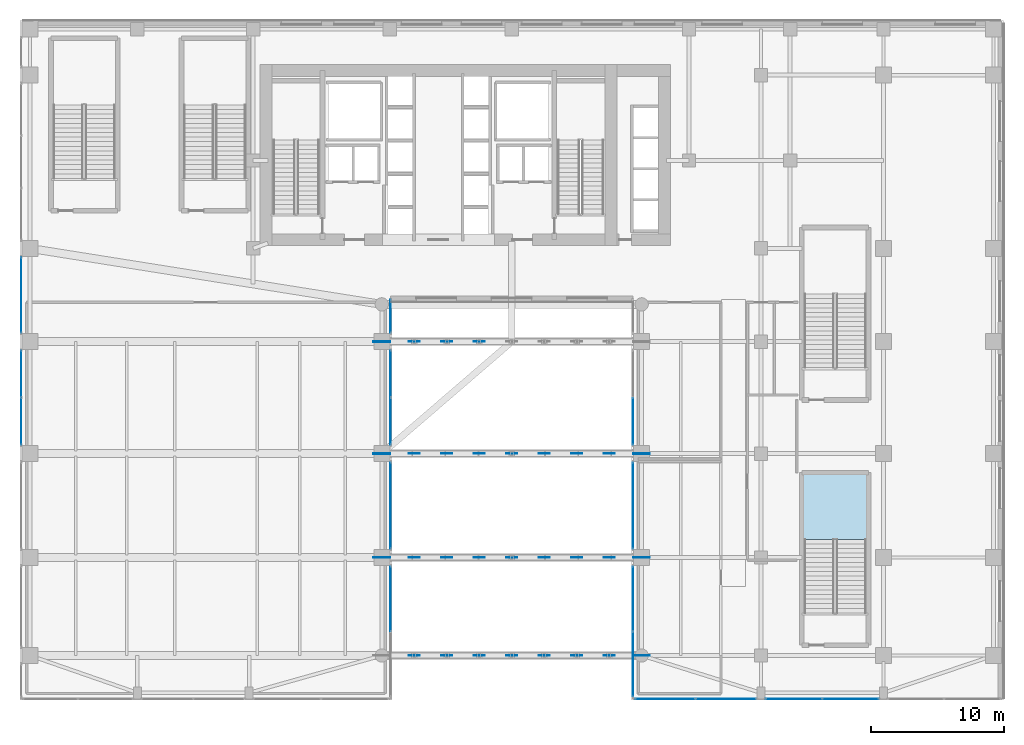
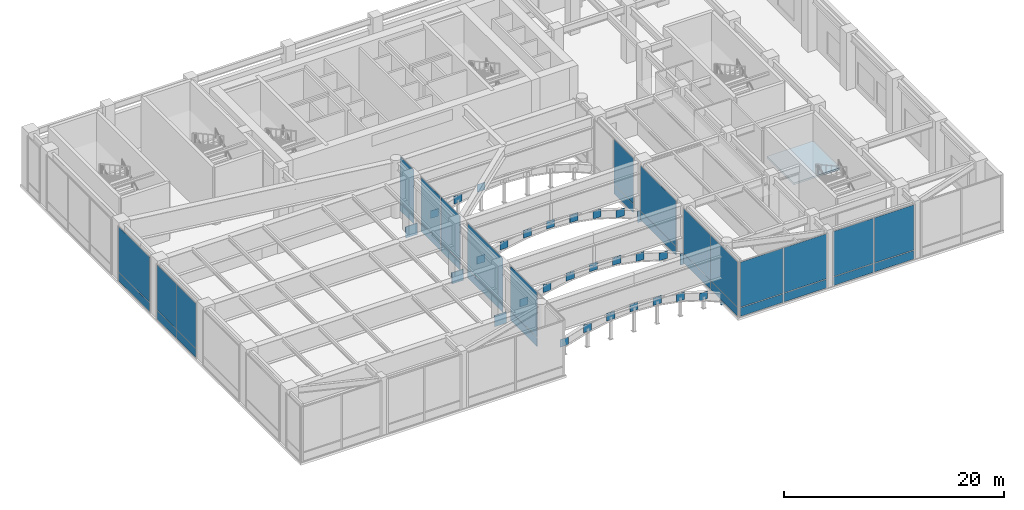
# One storey, part 36 of 50: 62 plates, 1 slab, 12 elements without a shape of their own.
"""IFC4 building model written with IfcOpenShell, lengths in metres."""

from ifc_helpers import new_model, si_unit, direction, frame, origin, origin_2d, place, context, subcontext, project, spatial, polyline, rectangle, outline, extrude, source, transform, mapped, material, layer, layer_set, type_object, type_shapes, element, aggregate, save


model = new_model("IFC4")

# Units and contexts
model_context = context("Model", 3, precision=1e-05, world=origin(), true_north=direction((0.0, 1.0)))
body_context = subcontext(model_context, "Body", "Model", "MODEL_VIEW")
ifc_project = project(units=[si_unit("LENGTHUNIT", "METRE"), si_unit("AREAUNIT", "SQUARE_METRE"), si_unit("VOLUMEUNIT", "CUBIC_METRE"), si_unit("PLANEANGLEUNIT", "RADIAN"), si_unit("MASSUNIT", "GRAM", prefix="KILO")], contexts=[model_context])

# Site, building, storey
site_placement = place(None, origin())
site = spatial("IfcSite", under=ifc_project, at=site_placement, CompositionType="ELEMENT")
building_placement = place(site_placement, origin())
building = spatial("IfcBuilding", under=site, at=building_placement, Name="Tolvann Quenvar Hotel", CompositionType="ELEMENT")
storey_placement = place(building_placement, frame((0.0, 0.0, 16.0)))
storey = spatial("IfcBuildingStorey", under=building, at=storey_placement, Name="L03", CompositionType="ELEMENT", Elevation=16.0)

# Stair, slab
ifc_material_1 = material(Name="Concrete N40 (40 MPa)", Category="concrete")
stair_type = type_object("IfcStairType", Name="STAIR", PredefinedType="HALF_TURN_STAIR", material=ifc_material_1)
stair_placement = place(storey_placement, origin())
stair = element("IfcStair", 1, at=stair_placement, inside=storey, type_object=stair_type, Name="L03 ST-P3", PredefinedType="HALF_TURN_STAIR")
ifc_layer_1 = layer(ifc_material_1, 0.199951171875)
ifc_layer_set_1 = layer_set([ifc_layer_1], Name="Concrete N40 (40 MPa)")
slab_type = type_object("IfcSlabType", Name="SLAB_LANDING", PredefinedType="LANDING", material=ifc_layer_set_1)
slab_placement = place(storey_placement, frame((0.0, 0.0, 3.0)))
slab = element("IfcSlab", 2, at=slab_placement, type_object=slab_type, Name="ST-P3 landing 1", PredefinedType="LANDING", context=body_context, shape_type="SweptSolid", body=[
    extrude(outline(polyline([(55.22998046875, 9.570068359375), (55.22998046875, 14.47998046875), (50.320068359375, 14.47998046875), (50.320068359375, 9.570068359375), (55.22998046875, 9.570068359375)])), origin(), (0.0, 0.0, 1.0), 0.199951171875),
])
aggregate(stair, [slab])

# Plates
ifc_material_2 = material(Name="Steel Grade 350", Category="steel")
ifc_layer_2 = layer(ifc_material_2, 0.06005859375)
ifc_layer_set_2 = layer_set([ifc_layer_2], Name="Steel Grade 350")
plate_type_1 = type_object("IfcPlateType", Name="PLT_SPRINGER_60", PredefinedType="USERDEFINED", material=ifc_layer_set_2)
shared_shape_1 = source(origin(), body_context, "Body", "SweptSolid", [
    extrude(rectangle(XDim=1.25, YDim=0.06005859375, at=origin_2d()), origin(), (0.0, 0.0, 1.0), 1.25),
])
type_shapes(plate_type_1, [shared_shape_1])
for number, where, z_axis, x_axis, name in (
    (3, (38.25, 0.85009765625, -0.625), (0.0, 0.0, 1.0), (1.0, 0.0, 0.0), "Arch Rib East Springer Gusset Plate GP-3 (F1-END)"),
    (4, (18.75, 8.199951171875, -0.625), (0.0, 0.0, 1.0), (1.0, 0.0, 0.0), "Arch Rib Node Gusset Plate (F2-1)"),
    (5, (38.25, 8.199951171875, -0.625), (0.0, 0.0, 1.0), (1.0, 0.0, 0.0), "Arch Rib East Springer Gusset Plate GP-3 (F2-END)"),
    (6, (18.75, 16.0, -0.625), (0.0, 0.0, 1.0), (1.0, 0.0, 0.0), "Arch Rib Node Gusset Plate (F3-1)"),
    (7, (38.25, 16.0, -0.625), (0.0, 0.0, 1.0), (1.0, 0.0, 0.0), "Arch Rib East Springer Gusset Plate GP-3 (F3-END)"),
    (8, (18.75, 24.39990234375, -0.625), (0.0, 0.0, 1.0), (1.0, 0.0, 0.0), "Arch Rib Node Gusset Plate (F4-1)"),
):
    element("IfcPlate", number, at=place(storey_placement, frame(where, z_axis=z_axis, x_axis=x_axis)), inside=storey, type_object=plate_type_1, Name=name, ObjectType="GUSSET PLATE", PredefinedType="USERDEFINED", context=body_context, shape_type="MappedRepresentation", body=[
        mapped(shared_shape_1, transform((0.0, 0.0, 0.0), x_axis=(1.0, 0.0, 0.0), y_axis=(0.0, 1.0, 0.0), z_axis=(0.0, 0.0, 1.0), scale=1.0)),
    ])
ifc_layer_3 = layer(ifc_material_2, 0.031982421875)
ifc_layer_set_3 = layer_set([ifc_layer_3], Name="Steel Grade 350")
plate_type_2 = type_object("IfcPlateType", Name="PLT_GUSSET_32", PredefinedType="USERDEFINED", material=ifc_layer_set_3)
shared_shape_2 = source(origin(), body_context, "Body", "SweptSolid", [
    extrude(rectangle(XDim=0.85009765625, YDim=0.031982421875, at=origin_2d()), origin(), (0.0, 0.0, 1.0), 0.85009765625),
])
type_shapes(plate_type_2, [shared_shape_2])
for number, where, z_axis, x_axis, name in (
    (9, (21.1875, 0.85009765625, 0.625), (0.0, 0.0, 1.0), (1.0, 0.0, 0.0), "Arch Rib Node Gusset Plate (F1-2)"),
    (10, (23.625, 0.85009765625, 1.375), (0.0, 0.0, 1.0), (1.0, 0.0, 0.0), "Arch Rib Node Gusset Plate (F1-3)"),
    (11, (26.0625, 0.85009765625, 1.824951171875), (0.0, 0.0, 1.0), (1.0, 0.0, 0.0), "Arch Rib Node Gusset Plate (F1-4)"),
    (12, (28.5, 0.85009765625, 1.974853515625), (0.0, 0.0, 1.0), (1.0, 0.0, 0.0), "Arch Rib Node Gusset Plate (F1-5)"),
    (13, (30.9375, 0.85009765625, 1.824951171875), (0.0, 0.0, 1.0), (1.0, 0.0, 0.0), "Arch Rib Node Gusset Plate (F1-6)"),
    (14, (33.375, 0.85009765625, 1.375), (0.0, 0.0, 1.0), (1.0, 0.0, 0.0), "Arch Rib Node Gusset Plate (F1-7)"),
    (15, (35.8125, 0.85009765625, 0.625), (0.0, 0.0, 1.0), (1.0, 0.0, 0.0), "Arch Rib Node Gusset Plate (F1-8)"),
    (16, (21.1875, 8.199951171875, 0.625), (0.0, 0.0, 1.0), (1.0, 0.0, 0.0), "Arch Rib Node Gusset Plate (F2-2)"),
    (17, (23.625, 8.199951171875, 1.375), (0.0, 0.0, 1.0), (1.0, 0.0, 0.0), "Arch Rib Node Gusset Plate (F2-3)"),
    (18, (26.0625, 8.199951171875, 1.824951171875), (0.0, 0.0, 1.0), (1.0, 0.0, 0.0), "Arch Rib Node Gusset Plate (F2-4)"),
    (19, (28.5, 8.199951171875, 1.974853515625), (0.0, 0.0, 1.0), (1.0, 0.0, 0.0), "Arch Rib Node Gusset Plate (F2-5)"),
    (20, (30.9375, 8.199951171875, 1.824951171875), (0.0, 0.0, 1.0), (1.0, 0.0, 0.0), "Arch Rib Node Gusset Plate (F2-6)"),
    (21, (33.375, 8.199951171875, 1.375), (0.0, 0.0, 1.0), (1.0, 0.0, 0.0), "Arch Rib Node Gusset Plate (F2-7)"),
    (22, (35.8125, 8.199951171875, 0.625), (0.0, 0.0, 1.0), (1.0, 0.0, 0.0), "Arch Rib Node Gusset Plate (F2-8)"),
    (23, (21.1875, 16.0, 0.625), (0.0, 0.0, 1.0), (1.0, 0.0, 0.0), "Arch Rib Node Gusset Plate (F3-2)"),
    (24, (23.625, 16.0, 1.375), (0.0, 0.0, 1.0), (1.0, 0.0, 0.0), "Arch Rib Node Gusset Plate (F3-3)"),
    (25, (26.0625, 16.0, 1.824951171875), (0.0, 0.0, 1.0), (1.0, 0.0, 0.0), "Arch Rib Node Gusset Plate (F3-4)"),
    (26, (28.5, 16.0, 1.974853515625), (0.0, 0.0, 1.0), (1.0, 0.0, 0.0), "Arch Rib Node Gusset Plate (F3-5)"),
    (27, (30.9375, 16.0, 1.824951171875), (0.0, 0.0, 1.0), (1.0, 0.0, 0.0), "Arch Rib Node Gusset Plate (F3-6)"),
    (28, (33.375, 16.0, 1.375), (0.0, 0.0, 1.0), (1.0, 0.0, 0.0), "Arch Rib Node Gusset Plate (F3-7)"),
    (29, (35.8125, 16.0, 0.625), (0.0, 0.0, 1.0), (1.0, 0.0, 0.0), "Arch Rib Node Gusset Plate (F3-8)"),
    (30, (21.1875, 24.39990234375, 0.625), (0.0, 0.0, 1.0), (1.0, 0.0, 0.0), "Arch Rib Node Gusset Plate (F4-2)"),
    (31, (23.625, 24.39990234375, 1.375), (0.0, 0.0, 1.0), (1.0, 0.0, 0.0), "Arch Rib Node Gusset Plate (F4-3)"),
    (32, (26.0625, 24.39990234375, 1.824951171875), (0.0, 0.0, 1.0), (1.0, 0.0, 0.0), "Arch Rib Node Gusset Plate (F4-4)"),
):
    element("IfcPlate", number, at=place(storey_placement, frame(where, z_axis=z_axis, x_axis=x_axis)), inside=storey, type_object=plate_type_2, Name=name, ObjectType="GUSSET PLATE", PredefinedType="USERDEFINED", context=body_context, shape_type="MappedRepresentation", body=[
        mapped(shared_shape_2, transform((0.0, 0.0, 0.0), x_axis=(1.0, 0.0, 0.0), y_axis=(0.0, 1.0, 0.0), z_axis=(0.0, 0.0, 1.0), scale=1.0)),
    ])

# Curtain wall, plates
ifc_material_3 = material(Name="Thermally broken anodised architectural aluminium 6063-T6 and laminated low-E glass", Category="aluminium")
ifc_layer_4 = layer(ifc_material_3, 0.179931640625)
ifc_layer_set_4 = layer_set([ifc_layer_4], Name="Thermally broken anodised architectural aluminium 6063-T6 and laminated low-E glass")
curtain_wall_type_1 = type_object("IfcCurtainWallType", Name="CW_SYS_BALL_02", PredefinedType="USERDEFINED", material=ifc_layer_set_4)
curtain_wall_1_placement = place(storey_placement, origin())
curtain_wall_1 = element("IfcCurtainWall", 33, at=curtain_wall_1_placement, inside=storey, type_object=curtain_wall_type_1, Name="Curtain Wall CW-BALL-02 (CWR-L03-E04-S1)", ObjectType="UNITISED CURTAIN WALL", PredefinedType="USERDEFINED")
ifc_material_4 = material(Name="Low-iron laminated double glazing with solar-control coating", Category="glass")
ifc_layer_5 = layer(ifc_material_4, 0.028076171875)
ifc_layer_set_5 = layer_set([ifc_layer_5], Name="Low-iron laminated double glazing with solar-control coating")
plate_type_3 = type_object("IfcPlateType", Name="CW_PAN_VISION_28", PredefinedType="CURTAIN_PANEL", material=ifc_layer_set_5)
shared_shape_3 = source(origin(), body_context, "Body", "SweptSolid", [
    extrude(rectangle(XDim=4.488037109375, YDim=0.028076171875, at=origin_2d()), origin(), (0.0, 0.0, 1.0), 0.9599609375),
])
plate_1_placement = place(storey_placement, frame((40.02392578125, -2.409912109375, 0.06005859375), z_axis=(0.0, 0.0, 1.0), x_axis=(1.0, 0.0, 0.0)))
plate_1 = element("IfcPlate", 34, at=plate_1_placement, type_object=plate_type_3, Name="CW-BALL-02 panel 1.1", PredefinedType="CURTAIN_PANEL", context=body_context, shape_type="MappedRepresentation", body=[
    mapped(shared_shape_3, transform((0.0, 0.0, 0.0), x_axis=(1.0, 0.0, 0.0), y_axis=(0.0, 1.0, 0.0), z_axis=(0.0, 0.0, 1.0), scale=1.0)),
])
plate_2_placement = place(storey_placement, frame((44.58203125, -2.409912109375, 0.06005859375), z_axis=(0.0, 0.0, 1.0), x_axis=(1.0, 0.0, 0.0)))
plate_2 = element("IfcPlate", 35, at=plate_2_placement, type_object=plate_type_3, Name="CW-BALL-02 panel 2.1", PredefinedType="CURTAIN_PANEL", context=body_context, shape_type="MappedRepresentation", body=[
    mapped(shared_shape_3, transform((0.0, 0.0, 0.0), x_axis=(1.0, 0.0, 0.0), y_axis=(0.0, 1.0, 0.0), z_axis=(0.0, 0.0, 1.0), scale=1.0)),
])

curtain_wall_2_placement = place(storey_placement, origin())
curtain_wall_2 = element("IfcCurtainWall", 36, at=curtain_wall_2_placement, inside=storey, type_object=curtain_wall_type_1, Name="Curtain Wall CW-BALL-02 (CWR-L03-E04-S2)", ObjectType="UNITISED CURTAIN WALL", PredefinedType="USERDEFINED")
shared_shape_4 = source(origin(), body_context, "Body", "SweptSolid", [
    extrude(rectangle(XDim=4.19091796875, YDim=0.028076171875, at=origin_2d()), origin(), (0.0, 0.0, 1.0), 0.9599609375),
])
plate_3_placement = place(storey_placement, frame((49.66943359375, -2.409912109375, 0.06005859375), z_axis=(0.0, 0.0, 1.0), x_axis=(1.0, 0.0, 0.0)))
plate_3 = element("IfcPlate", 37, at=plate_3_placement, type_object=plate_type_3, Name="CW-BALL-02 panel 1.1", PredefinedType="CURTAIN_PANEL", context=body_context, shape_type="MappedRepresentation", body=[
    mapped(shared_shape_4, transform((0.0, 0.0, 0.0), x_axis=(1.0, 0.0, 0.0), y_axis=(0.0, 1.0, 0.0), z_axis=(0.0, 0.0, 1.0), scale=1.0)),
])
plate_4_placement = place(storey_placement, frame((53.930419921875, -2.409912109375, 0.06005859375), z_axis=(0.0, 0.0, 1.0), x_axis=(1.0, 0.0, 0.0)))
plate_4 = element("IfcPlate", 38, at=plate_4_placement, type_object=plate_type_3, Name="CW-BALL-02 panel 2.1", PredefinedType="CURTAIN_PANEL", context=body_context, shape_type="MappedRepresentation", body=[
    mapped(shared_shape_4, transform((0.0, 0.0, 0.0), x_axis=(1.0, 0.0, 0.0), y_axis=(0.0, 1.0, 0.0), z_axis=(0.0, 0.0, 1.0), scale=1.0)),
])

# Curtain wall, plate
ifc_layer_6 = layer(ifc_material_3, 0.179931640625)
ifc_layer_set_6 = layer_set([ifc_layer_6], Name="Thermally broken anodised architectural aluminium 6063-T6 and laminated low-E glass")
curtain_wall_type_2 = type_object("IfcCurtainWallType", Name="CW_SYS_ARCH_01", PredefinedType="USERDEFINED", material=ifc_layer_set_6)
curtain_wall_3_placement = place(storey_placement, origin())
curtain_wall_3 = element("IfcCurtainWall", 39, at=curtain_wall_3_placement, inside=storey, type_object=curtain_wall_type_2, Name="Curtain Wall CW-ARCH-01 (CWR-L03-E01-S1)", ObjectType="UNITISED CURTAIN WALL", PredefinedType="USERDEFINED")
shared_shape_5 = source(origin(), body_context, "Body", "SweptSolid", [
    extrude(rectangle(XDim=4.837890625, YDim=0.028076171875, at=origin_2d()), origin(), (0.0, 0.0, 1.0), 0.9599609375),
])
plate_5_placement = place(storey_placement, frame((19.409912109375, 5.10693359375, 0.06005859375), z_axis=(0.0, 0.0, 1.0), x_axis=(0.0, 1.0, 0.0)))
plate_5 = element("IfcPlate", 40, at=plate_5_placement, type_object=plate_type_3, Name="CW-ARCH-01 panel 2.1", PredefinedType="CURTAIN_PANEL", context=body_context, shape_type="MappedRepresentation", body=[
    mapped(shared_shape_5, transform((0.0, 0.0, 0.0), x_axis=(1.0, 0.0, 0.0), y_axis=(0.0, 1.0, 0.0), z_axis=(0.0, 0.0, 1.0), scale=1.0)),
])

# Curtain wall, plates
curtain_wall_4_placement = place(storey_placement, origin())
curtain_wall_4 = element("IfcCurtainWall", 41, at=curtain_wall_4_placement, inside=storey, type_object=curtain_wall_type_2, Name="Curtain Wall CW-ARCH-01 (CWR-L03-E03-S4)", ObjectType="UNITISED CURTAIN WALL", PredefinedType="USERDEFINED")
plate_6_placement = place(storey_placement, frame((37.590087890625, 5.10693359375, 0.06005859375), z_axis=(0.0, 0.0, 1.0), x_axis=(0.0, -1.0, 0.0)))
plate_6 = element("IfcPlate", 42, at=plate_6_placement, type_object=plate_type_3, Name="CW-ARCH-01 panel 1.1", PredefinedType="CURTAIN_PANEL", context=body_context, shape_type="MappedRepresentation", body=[
    mapped(shared_shape_5, transform((0.0, 0.0, 0.0), x_axis=(1.0, 0.0, 0.0), y_axis=(0.0, 1.0, 0.0), z_axis=(0.0, 0.0, 1.0), scale=1.0)),
])
plate_7_placement = place(storey_placement, frame((37.590087890625, 0.198974609375, 0.06005859375), z_axis=(0.0, 0.0, 1.0), x_axis=(0.0, -1.0, 0.0)))
plate_7 = element("IfcPlate", 43, at=plate_7_placement, type_object=plate_type_3, Name="CW-ARCH-01 panel 2.1", PredefinedType="CURTAIN_PANEL", context=body_context, shape_type="MappedRepresentation", body=[
    mapped(shared_shape_5, transform((0.0, 0.0, 0.0), x_axis=(1.0, 0.0, 0.0), y_axis=(0.0, 1.0, 0.0), z_axis=(0.0, 0.0, 1.0), scale=1.0)),
])

# Plate
shared_shape_6 = source(origin(), body_context, "Body", "SweptSolid", [
    extrude(rectangle(XDim=4.837890625, YDim=0.028076171875, at=origin_2d()), origin(), (0.0, 0.0, 1.0), 5.0),
])
plate_8_placement = place(storey_placement, frame((19.409912109375, 5.10693359375, 1.080078125), z_axis=(0.0, 0.0, 1.0), x_axis=(0.0, 1.0, 0.0)))
plate_8 = element("IfcPlate", 44, at=plate_8_placement, type_object=plate_type_3, Name="CW-ARCH-01 panel 2.2", PredefinedType="CURTAIN_PANEL", context=body_context, shape_type="MappedRepresentation", body=[
    mapped(shared_shape_6, transform((0.0, 0.0, 0.0), x_axis=(1.0, 0.0, 0.0), y_axis=(0.0, 1.0, 0.0), z_axis=(0.0, 0.0, 1.0), scale=1.0)),
])

aggregate(curtain_wall_3, [plate_5, plate_8])

plate_9_placement = place(storey_placement, frame((37.590087890625, 5.10693359375, 1.080078125), z_axis=(0.0, 0.0, 1.0), x_axis=(0.0, -1.0, 0.0)))
plate_9 = element("IfcPlate", 45, at=plate_9_placement, type_object=plate_type_3, Name="CW-ARCH-01 panel 1.2", PredefinedType="CURTAIN_PANEL", context=body_context, shape_type="MappedRepresentation", body=[
    mapped(shared_shape_6, transform((0.0, 0.0, 0.0), x_axis=(1.0, 0.0, 0.0), y_axis=(0.0, 1.0, 0.0), z_axis=(0.0, 0.0, 1.0), scale=1.0)),
])

plate_10_placement = place(storey_placement, frame((37.590087890625, 0.198974609375, 1.080078125), z_axis=(0.0, 0.0, 1.0), x_axis=(0.0, -1.0, 0.0)))
plate_10 = element("IfcPlate", 46, at=plate_10_placement, type_object=plate_type_3, Name="CW-ARCH-01 panel 2.2", PredefinedType="CURTAIN_PANEL", context=body_context, shape_type="MappedRepresentation", body=[
    mapped(shared_shape_6, transform((0.0, 0.0, 0.0), x_axis=(1.0, 0.0, 0.0), y_axis=(0.0, 1.0, 0.0), z_axis=(0.0, 0.0, 1.0), scale=1.0)),
])

aggregate(curtain_wall_4, [plate_6, plate_9, plate_7, plate_10])

# Curtain wall, plate
curtain_wall_5_placement = place(storey_placement, origin())
curtain_wall_5 = element("IfcCurtainWall", 47, at=curtain_wall_5_placement, inside=storey, type_object=curtain_wall_type_2, Name="Curtain Wall CW-ARCH-01 (CWR-L03-E01-S2)", ObjectType="UNITISED CURTAIN WALL", PredefinedType="USERDEFINED")
shared_shape_7 = source(origin(), body_context, "Body", "SweptSolid", [
    extrude(rectangle(XDim=6.451904296875, YDim=0.028076171875, at=origin_2d()), origin(), (0.0, 0.0, 1.0), 0.9599609375),
])
plate_11_placement = place(storey_placement, frame((19.409912109375, 12.10009765625, 0.06005859375), z_axis=(0.0, 0.0, 1.0), x_axis=(0.0, 1.0, 0.0)))
plate_11 = element("IfcPlate", 48, at=plate_11_placement, type_object=plate_type_3, Name="CW-ARCH-01 panel 1.1", PredefinedType="CURTAIN_PANEL", context=body_context, shape_type="MappedRepresentation", body=[
    mapped(shared_shape_7, transform((0.0, 0.0, 0.0), x_axis=(1.0, 0.0, 0.0), y_axis=(0.0, 1.0, 0.0), z_axis=(0.0, 0.0, 1.0), scale=1.0)),
])

curtain_wall_6_placement = place(storey_placement, origin())
curtain_wall_6 = element("IfcCurtainWall", 49, at=curtain_wall_6_placement, inside=storey, type_object=curtain_wall_type_2, Name="Curtain Wall CW-ARCH-01 (CWR-L03-E03-S3)", ObjectType="UNITISED CURTAIN WALL", PredefinedType="USERDEFINED")
plate_12_placement = place(storey_placement, frame((37.590087890625, 12.10009765625, 0.06005859375), z_axis=(0.0, 0.0, 1.0), x_axis=(0.0, -1.0, 0.0)))
plate_12 = element("IfcPlate", 50, at=plate_12_placement, type_object=plate_type_3, Name="CW-ARCH-01 panel 1.1", PredefinedType="CURTAIN_PANEL", context=body_context, shape_type="MappedRepresentation", body=[
    mapped(shared_shape_7, transform((0.0, 0.0, 0.0), x_axis=(1.0, 0.0, 0.0), y_axis=(0.0, 1.0, 0.0), z_axis=(0.0, 0.0, 1.0), scale=1.0)),
])

# Plate
shared_shape_8 = source(origin(), body_context, "Body", "SweptSolid", [
    extrude(rectangle(XDim=6.451904296875, YDim=0.028076171875, at=origin_2d()), origin(), (0.0, 0.0, 1.0), 5.0),
])
plate_13_placement = place(storey_placement, frame((19.409912109375, 12.10009765625, 1.080078125), z_axis=(0.0, 0.0, 1.0), x_axis=(0.0, 1.0, 0.0)))
plate_13 = element("IfcPlate", 51, at=plate_13_placement, type_object=plate_type_3, Name="CW-ARCH-01 panel 1.2", PredefinedType="CURTAIN_PANEL", context=body_context, shape_type="MappedRepresentation", body=[
    mapped(shared_shape_8, transform((0.0, 0.0, 0.0), x_axis=(1.0, 0.0, 0.0), y_axis=(0.0, 1.0, 0.0), z_axis=(0.0, 0.0, 1.0), scale=1.0)),
])

aggregate(curtain_wall_5, [plate_11, plate_13])

plate_14_placement = place(storey_placement, frame((37.590087890625, 12.10009765625, 1.080078125), z_axis=(0.0, 0.0, 1.0), x_axis=(0.0, -1.0, 0.0)))
plate_14 = element("IfcPlate", 52, at=plate_14_placement, type_object=plate_type_3, Name="CW-ARCH-01 panel 1.2", PredefinedType="CURTAIN_PANEL", context=body_context, shape_type="MappedRepresentation", body=[
    mapped(shared_shape_8, transform((0.0, 0.0, 0.0), x_axis=(1.0, 0.0, 0.0), y_axis=(0.0, 1.0, 0.0), z_axis=(0.0, 0.0, 1.0), scale=1.0)),
])

aggregate(curtain_wall_6, [plate_12, plate_14])

# Curtain wall, plates
curtain_wall_7_placement = place(storey_placement, origin())
curtain_wall_7 = element("IfcCurtainWall", 53, at=curtain_wall_7_placement, inside=storey, type_object=curtain_wall_type_2, Name="Curtain Wall CW-ARCH-01 (CWR-L03-E01-S3)", ObjectType="UNITISED CURTAIN WALL", PredefinedType="USERDEFINED")
shared_shape_9 = source(origin(), body_context, "Body", "SweptSolid", [
    extrude(rectangle(XDim=3.490966796875, YDim=0.028076171875, at=origin_2d()), origin(), (0.0, 0.0, 1.0), 0.9599609375),
])
plate_15_placement = place(storey_placement, frame((19.409912109375, 18.41943359375, 0.06005859375), z_axis=(0.0, 0.0, 1.0), x_axis=(0.0, 1.0, 0.0)))
plate_15 = element("IfcPlate", 54, at=plate_15_placement, type_object=plate_type_3, Name="CW-ARCH-01 panel 1.1", PredefinedType="CURTAIN_PANEL", context=body_context, shape_type="MappedRepresentation", body=[
    mapped(shared_shape_9, transform((0.0, 0.0, 0.0), x_axis=(1.0, 0.0, 0.0), y_axis=(0.0, 1.0, 0.0), z_axis=(0.0, 0.0, 1.0), scale=1.0)),
])
plate_16_placement = place(storey_placement, frame((19.409912109375, 21.98046875, 0.06005859375), z_axis=(0.0, 0.0, 1.0), x_axis=(0.0, 1.0, 0.0)))
plate_16 = element("IfcPlate", 55, at=plate_16_placement, type_object=plate_type_3, Name="CW-ARCH-01 panel 2.1", PredefinedType="CURTAIN_PANEL", context=body_context, shape_type="MappedRepresentation", body=[
    mapped(shared_shape_9, transform((0.0, 0.0, 0.0), x_axis=(1.0, 0.0, 0.0), y_axis=(0.0, 1.0, 0.0), z_axis=(0.0, 0.0, 1.0), scale=1.0)),
])

# Curtain wall, plate
curtain_wall_8_placement = place(storey_placement, origin())
curtain_wall_8 = element("IfcCurtainWall", 56, at=curtain_wall_8_placement, inside=storey, type_object=curtain_wall_type_2, Name="Curtain Wall CW-ARCH-01 (CWR-L03-E03-S2)", ObjectType="UNITISED CURTAIN WALL", PredefinedType="USERDEFINED")
plate_17_placement = place(storey_placement, frame((37.590087890625, 18.41943359375, 0.06005859375), z_axis=(0.0, 0.0, 1.0), x_axis=(0.0, -1.0, 0.0)))
plate_17 = element("IfcPlate", 57, at=plate_17_placement, type_object=plate_type_3, Name="CW-ARCH-01 panel 2.1", PredefinedType="CURTAIN_PANEL", context=body_context, shape_type="MappedRepresentation", body=[
    mapped(shared_shape_9, transform((0.0, 0.0, 0.0), x_axis=(1.0, 0.0, 0.0), y_axis=(0.0, 1.0, 0.0), z_axis=(0.0, 0.0, 1.0), scale=1.0)),
])

# Curtain wall, plates
curtain_wall_9_placement = place(storey_placement, origin())
curtain_wall_9 = element("IfcCurtainWall", 58, at=curtain_wall_9_placement, inside=storey, type_object=curtain_wall_type_1, Name="Curtain Wall CW-BALL-02 (CWR-L03-E07-S4)", ObjectType="UNITISED CURTAIN WALL", PredefinedType="USERDEFINED")
plate_18_placement = place(storey_placement, frame((-8.31005859375, 21.98046875, 0.06005859375), z_axis=(0.0, 0.0, 1.0), x_axis=(0.0, -1.0, 0.0)))
plate_18 = element("IfcPlate", 59, at=plate_18_placement, type_object=plate_type_3, Name="CW-BALL-02 panel 1.1", PredefinedType="CURTAIN_PANEL", context=body_context, shape_type="MappedRepresentation", body=[
    mapped(shared_shape_9, transform((0.0, 0.0, 0.0), x_axis=(1.0, 0.0, 0.0), y_axis=(0.0, 1.0, 0.0), z_axis=(0.0, 0.0, 1.0), scale=1.0)),
])
plate_19_placement = place(storey_placement, frame((-8.31005859375, 18.41943359375, 0.06005859375), z_axis=(0.0, 0.0, 1.0), x_axis=(0.0, -1.0, 0.0)))
plate_19 = element("IfcPlate", 60, at=plate_19_placement, type_object=plate_type_3, Name="CW-BALL-02 panel 2.1", PredefinedType="CURTAIN_PANEL", context=body_context, shape_type="MappedRepresentation", body=[
    mapped(shared_shape_9, transform((0.0, 0.0, 0.0), x_axis=(1.0, 0.0, 0.0), y_axis=(0.0, 1.0, 0.0), z_axis=(0.0, 0.0, 1.0), scale=1.0)),
])

# Plate
shared_shape_10 = source(origin(), body_context, "Body", "SweptSolid", [
    extrude(rectangle(XDim=3.490966796875, YDim=0.028076171875, at=origin_2d()), origin(), (0.0, 0.0, 1.0), 5.0),
])
plate_20_placement = place(storey_placement, frame((19.409912109375, 18.41943359375, 1.080078125), z_axis=(0.0, 0.0, 1.0), x_axis=(0.0, 1.0, 0.0)))
plate_20 = element("IfcPlate", 61, at=plate_20_placement, type_object=plate_type_3, Name="CW-ARCH-01 panel 1.2", PredefinedType="CURTAIN_PANEL", context=body_context, shape_type="MappedRepresentation", body=[
    mapped(shared_shape_10, transform((0.0, 0.0, 0.0), x_axis=(1.0, 0.0, 0.0), y_axis=(0.0, 1.0, 0.0), z_axis=(0.0, 0.0, 1.0), scale=1.0)),
])

plate_21_placement = place(storey_placement, frame((19.409912109375, 21.98046875, 1.080078125), z_axis=(0.0, 0.0, 1.0), x_axis=(0.0, 1.0, 0.0)))
plate_21 = element("IfcPlate", 62, at=plate_21_placement, type_object=plate_type_3, Name="CW-ARCH-01 panel 2.2", PredefinedType="CURTAIN_PANEL", context=body_context, shape_type="MappedRepresentation", body=[
    mapped(shared_shape_10, transform((0.0, 0.0, 0.0), x_axis=(1.0, 0.0, 0.0), y_axis=(0.0, 1.0, 0.0), z_axis=(0.0, 0.0, 1.0), scale=1.0)),
])

aggregate(curtain_wall_7, [plate_15, plate_20, plate_16, plate_21])

plate_22_placement = place(storey_placement, frame((37.590087890625, 18.41943359375, 1.080078125), z_axis=(0.0, 0.0, 1.0), x_axis=(0.0, -1.0, 0.0)))
plate_22 = element("IfcPlate", 63, at=plate_22_placement, type_object=plate_type_3, Name="CW-ARCH-01 panel 2.2", PredefinedType="CURTAIN_PANEL", context=body_context, shape_type="MappedRepresentation", body=[
    mapped(shared_shape_10, transform((0.0, 0.0, 0.0), x_axis=(1.0, 0.0, 0.0), y_axis=(0.0, 1.0, 0.0), z_axis=(0.0, 0.0, 1.0), scale=1.0)),
])

aggregate(curtain_wall_8, [plate_17, plate_22])

plate_23_placement = place(storey_placement, frame((-8.31005859375, 21.98046875, 1.080078125), z_axis=(0.0, 0.0, 1.0), x_axis=(0.0, -1.0, 0.0)))
plate_23 = element("IfcPlate", 64, at=plate_23_placement, type_object=plate_type_3, Name="CW-BALL-02 panel 1.2", PredefinedType="CURTAIN_PANEL", context=body_context, shape_type="MappedRepresentation", body=[
    mapped(shared_shape_10, transform((0.0, 0.0, 0.0), x_axis=(1.0, 0.0, 0.0), y_axis=(0.0, 1.0, 0.0), z_axis=(0.0, 0.0, 1.0), scale=1.0)),
])

plate_24_placement = place(storey_placement, frame((-8.31005859375, 18.41943359375, 1.080078125), z_axis=(0.0, 0.0, 1.0), x_axis=(0.0, -1.0, 0.0)))
plate_24 = element("IfcPlate", 65, at=plate_24_placement, type_object=plate_type_3, Name="CW-BALL-02 panel 2.2", PredefinedType="CURTAIN_PANEL", context=body_context, shape_type="MappedRepresentation", body=[
    mapped(shared_shape_10, transform((0.0, 0.0, 0.0), x_axis=(1.0, 0.0, 0.0), y_axis=(0.0, 1.0, 0.0), z_axis=(0.0, 0.0, 1.0), scale=1.0)),
])

aggregate(curtain_wall_9, [plate_18, plate_23, plate_19, plate_24])

# Curtain wall, plates
curtain_wall_10_placement = place(storey_placement, origin())
curtain_wall_10 = element("IfcCurtainWall", 66, at=curtain_wall_10_placement, inside=storey, type_object=curtain_wall_type_2, Name="Curtain Wall CW-ARCH-01 (CWR-L03-E01-S4)", ObjectType="UNITISED CURTAIN WALL", PredefinedType="USERDEFINED")
shared_shape_11 = source(origin(), body_context, "Body", "SweptSolid", [
    extrude(rectangle(XDim=2.466064453125, YDim=0.028076171875, at=origin_2d()), origin(), (0.0, 0.0, 1.0), 0.9599609375),
])
plate_25_placement = place(storey_placement, frame((19.409912109375, 26.306884765625, 0.06005859375), z_axis=(0.0, 0.0, 1.0), x_axis=(0.0, 1.0, 0.0)))
plate_25 = element("IfcPlate", 67, at=plate_25_placement, type_object=plate_type_3, Name="CW-ARCH-01 panel 1.1", PredefinedType="CURTAIN_PANEL", context=body_context, shape_type="MappedRepresentation", body=[
    mapped(shared_shape_11, transform((0.0, 0.0, 0.0), x_axis=(1.0, 0.0, 0.0), y_axis=(0.0, 1.0, 0.0), z_axis=(0.0, 0.0, 1.0), scale=1.0)),
])
shared_shape_12 = source(origin(), body_context, "Body", "SweptSolid", [
    extrude(rectangle(XDim=2.466064453125, YDim=0.028076171875, at=origin_2d()), origin(), (0.0, 0.0, 1.0), 5.0),
])
plate_26_placement = place(storey_placement, frame((19.409912109375, 26.306884765625, 1.080078125), z_axis=(0.0, 0.0, 1.0), x_axis=(0.0, 1.0, 0.0)))
plate_26 = element("IfcPlate", 68, at=plate_26_placement, type_object=plate_type_3, Name="CW-ARCH-01 panel 1.2", PredefinedType="CURTAIN_PANEL", context=body_context, shape_type="MappedRepresentation", body=[
    mapped(shared_shape_12, transform((0.0, 0.0, 0.0), x_axis=(1.0, 0.0, 0.0), y_axis=(0.0, 1.0, 0.0), z_axis=(0.0, 0.0, 1.0), scale=1.0)),
])
aggregate(curtain_wall_10, [plate_25, plate_26])

# Plate
shared_shape_13 = source(origin(), body_context, "Body", "SweptSolid", [
    extrude(rectangle(XDim=4.488037109375, YDim=0.028076171875, at=origin_2d()), origin(), (0.0, 0.0, 1.0), 5.0),
])
plate_27_placement = place(storey_placement, frame((40.02392578125, -2.409912109375, 1.080078125), z_axis=(0.0, 0.0, 1.0), x_axis=(1.0, 0.0, 0.0)))
plate_27 = element("IfcPlate", 69, at=plate_27_placement, type_object=plate_type_3, Name="CW-BALL-02 panel 1.2", PredefinedType="CURTAIN_PANEL", context=body_context, shape_type="MappedRepresentation", body=[
    mapped(shared_shape_13, transform((0.0, 0.0, 0.0), x_axis=(1.0, 0.0, 0.0), y_axis=(0.0, 1.0, 0.0), z_axis=(0.0, 0.0, 1.0), scale=1.0)),
])

plate_28_placement = place(storey_placement, frame((44.58203125, -2.409912109375, 1.080078125), z_axis=(0.0, 0.0, 1.0), x_axis=(1.0, 0.0, 0.0)))
plate_28 = element("IfcPlate", 70, at=plate_28_placement, type_object=plate_type_3, Name="CW-BALL-02 panel 2.2", PredefinedType="CURTAIN_PANEL", context=body_context, shape_type="MappedRepresentation", body=[
    mapped(shared_shape_13, transform((0.0, 0.0, 0.0), x_axis=(1.0, 0.0, 0.0), y_axis=(0.0, 1.0, 0.0), z_axis=(0.0, 0.0, 1.0), scale=1.0)),
])

aggregate(curtain_wall_1, [plate_1, plate_27, plate_2, plate_28])

shared_shape_14 = source(origin(), body_context, "Body", "SweptSolid", [
    extrude(rectangle(XDim=4.19091796875, YDim=0.028076171875, at=origin_2d()), origin(), (0.0, 0.0, 1.0), 5.0),
])
plate_29_placement = place(storey_placement, frame((49.66943359375, -2.409912109375, 1.080078125), z_axis=(0.0, 0.0, 1.0), x_axis=(1.0, 0.0, 0.0)))
plate_29 = element("IfcPlate", 71, at=plate_29_placement, type_object=plate_type_3, Name="CW-BALL-02 panel 1.2", PredefinedType="CURTAIN_PANEL", context=body_context, shape_type="MappedRepresentation", body=[
    mapped(shared_shape_14, transform((0.0, 0.0, 0.0), x_axis=(1.0, 0.0, 0.0), y_axis=(0.0, 1.0, 0.0), z_axis=(0.0, 0.0, 1.0), scale=1.0)),
])

plate_30_placement = place(storey_placement, frame((53.930419921875, -2.409912109375, 1.080078125), z_axis=(0.0, 0.0, 1.0), x_axis=(1.0, 0.0, 0.0)))
plate_30 = element("IfcPlate", 72, at=plate_30_placement, type_object=plate_type_3, Name="CW-BALL-02 panel 2.2", PredefinedType="CURTAIN_PANEL", context=body_context, shape_type="MappedRepresentation", body=[
    mapped(shared_shape_14, transform((0.0, 0.0, 0.0), x_axis=(1.0, 0.0, 0.0), y_axis=(0.0, 1.0, 0.0), z_axis=(0.0, 0.0, 1.0), scale=1.0)),
])

aggregate(curtain_wall_2, [plate_3, plate_29, plate_4, plate_30])

# Curtain wall, plates
curtain_wall_11_placement = place(storey_placement, origin())
curtain_wall_11 = element("IfcCurtainWall", 73, at=curtain_wall_11_placement, inside=storey, type_object=curtain_wall_type_1, Name="Curtain Wall CW-BALL-02 (CWR-L03-E07-S3)", ObjectType="UNITISED CURTAIN WALL", PredefinedType="USERDEFINED")
shared_shape_15 = source(origin(), body_context, "Body", "SweptSolid", [
    extrude(rectangle(XDim=5.652099609375, YDim=0.028076171875, at=origin_2d()), origin(), (0.0, 0.0, 1.0), 0.9599609375),
])
plate_31_placement = place(storey_placement, frame((-8.31005859375, 27.89990234375, 0.06005859375), z_axis=(0.0, 0.0, 1.0), x_axis=(0.0, -1.0, 0.0)))
plate_31 = element("IfcPlate", 74, at=plate_31_placement, type_object=plate_type_3, Name="CW-BALL-02 panel 1.1", PredefinedType="CURTAIN_PANEL", context=body_context, shape_type="MappedRepresentation", body=[
    mapped(shared_shape_15, transform((0.0, 0.0, 0.0), x_axis=(1.0, 0.0, 0.0), y_axis=(0.0, 1.0, 0.0), z_axis=(0.0, 0.0, 1.0), scale=1.0)),
])
shared_shape_16 = source(origin(), body_context, "Body", "SweptSolid", [
    extrude(rectangle(XDim=5.652099609375, YDim=0.028076171875, at=origin_2d()), origin(), (0.0, 0.0, 1.0), 5.0),
])
type_shapes(plate_type_3, [shared_shape_3, shared_shape_4, shared_shape_5, shared_shape_6, shared_shape_7, shared_shape_8, shared_shape_9, shared_shape_10, shared_shape_11, shared_shape_12, shared_shape_13, shared_shape_14, shared_shape_15, shared_shape_16])
plate_32_placement = place(storey_placement, frame((-8.31005859375, 27.89990234375, 1.080078125), z_axis=(0.0, 0.0, 1.0), x_axis=(0.0, -1.0, 0.0)))
plate_32 = element("IfcPlate", 75, at=plate_32_placement, type_object=plate_type_3, Name="CW-BALL-02 panel 1.2", PredefinedType="CURTAIN_PANEL", context=body_context, shape_type="MappedRepresentation", body=[
    mapped(shared_shape_16, transform((0.0, 0.0, 0.0), x_axis=(1.0, 0.0, 0.0), y_axis=(0.0, 1.0, 0.0), z_axis=(0.0, 0.0, 1.0), scale=1.0)),
])
aggregate(curtain_wall_11, [plate_31, plate_32])

save(model, "model.ifc")
